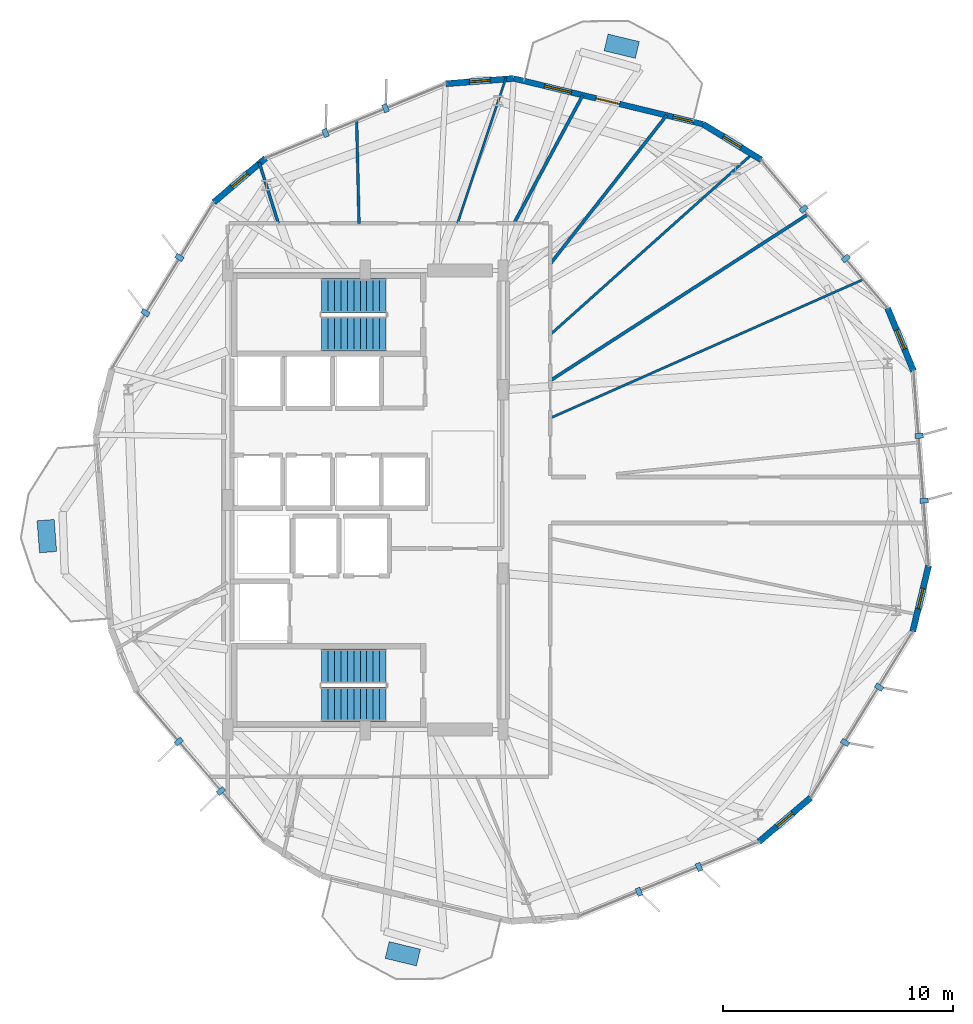
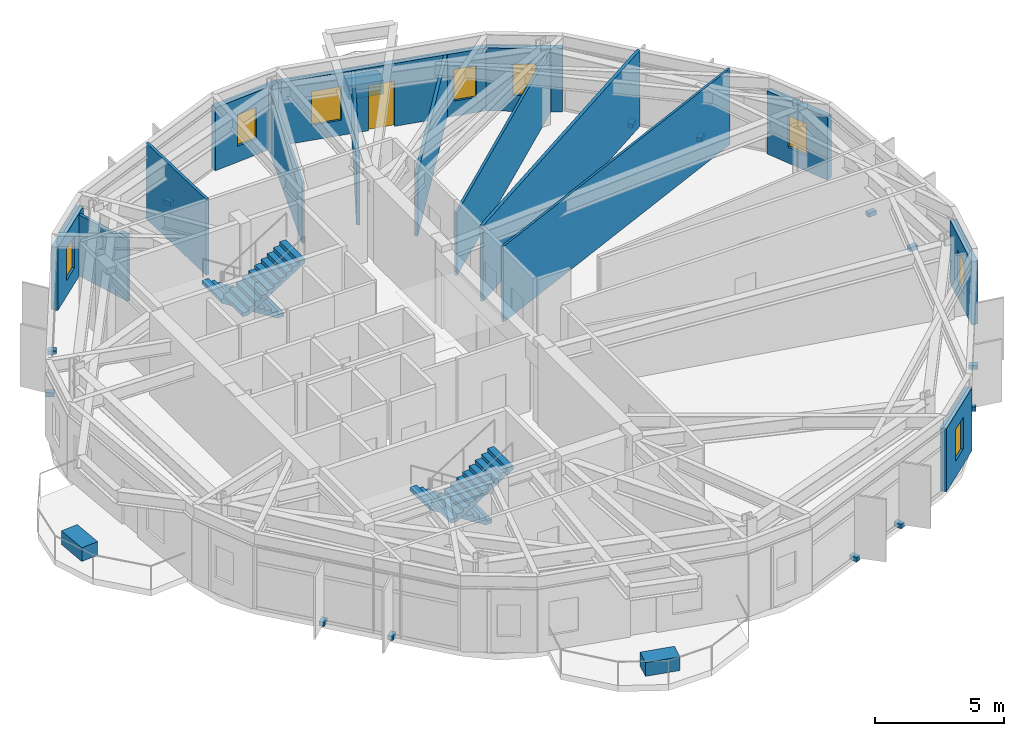
# One storey, part 18 of 21: 17 discrete accessories, 15 walls, 8 windows, 4 stair flights, 1 door, 9 openings, 2 elements without a shape of their own.
"""IFC4 building model written with IfcOpenShell, lengths in metres."""

from ifc_helpers import new_model, si_unit, direction, frame, frame_2d, origin, origin_2d, place, context, subcontext, project, spatial, polyline, rectangle, outline, extrude, material, layer, layer_set, type_object, element, fill, aggregate, save


model = new_model("IFC4")

# Units and contexts
model_context = context("Model", 3, precision=1e-05, world=origin(), true_north=direction((0.0, 1.0)))
body_context = subcontext(model_context, "Body", "Model", "MODEL_VIEW")
ifc_project = project(units=[si_unit("LENGTHUNIT", "METRE"), si_unit("AREAUNIT", "SQUARE_METRE"), si_unit("VOLUMEUNIT", "CUBIC_METRE"), si_unit("PLANEANGLEUNIT", "RADIAN"), si_unit("MASSUNIT", "GRAM", prefix="KILO")], contexts=[model_context])

# Site, building, storey
site_placement = place(None, origin())
site = spatial("IfcSite", under=ifc_project, at=site_placement, CompositionType="ELEMENT")
building_placement = place(site_placement, origin())
building = spatial("IfcBuilding", under=site, at=building_placement, Name="Soratama Intermodal Tower", CompositionType="ELEMENT")
storey_placement = place(building_placement, frame((0.0, 0.0, 114.699951171875)))
storey = spatial("IfcBuildingStorey", under=building, at=storey_placement, Name="L27", CompositionType="ELEMENT", Elevation=114.699951171875)

# Wall, openings, door, windows
ifc_material_1 = material(Name="Concrete f'c 42 MPa", Category="concrete")
ifc_layer_1 = layer(ifc_material_1, 0.25)
ifc_layer_set_1 = layer_set([ifc_layer_1], Name="Concrete f'c 42 MPa")
wall_type_1 = type_object("IfcWallType", Name="EW-BAL-250", PredefinedType="SOLIDWALL", material=ifc_layer_set_1)
wall_1_placement = place(storey_placement, frame((53.31591796875, 41.372802734375, 0.0), z_axis=(0.0, 0.0, 1.0), x_axis=(-0.972125162173, 0.234462511014, 0.0)))
wall_1 = element("IfcWall", 1, at=wall_1_placement, inside=storey, type_object=wall_type_1, Name="L27 Terrace Wall F02", PredefinedType="SOLIDWALL", context=body_context, shape_type="SweptSolid", body=[
    extrude(rectangle(XDim=8.490478515625, YDim=0.25, at=frame_2d((4.2451171875, 0.0))), origin(), (0.0, 0.0, 1.0), 2.97900390625),
])
opening_1_placement = place(wall_1_placement, frame((3.745361328125, 0.0, 0.0)))
opening_1 = element("IfcOpeningElement", 2, at=opening_1_placement, cuts=wall_1, Name="Opening ED-5", PredefinedType="OPENING", context=body_context, shape_type="SweptSolid", body=[
    extrude(rectangle(XDim=1.050048828125, YDim=2.14990234375, at=frame_2d((0.52490234375, 1.074951171875))), frame((0.0, 0.135009765625, 0.0), z_axis=(0.0, -1.0, 0.0), x_axis=(1.0, 0.0, 0.0)), (0.0, 0.0, 1.0), 0.27001953125),
])
opening_2_placement = place(wall_1_placement, frame((0.43994140625, 0.0, 0.719970703125)))
opening_2 = element("IfcOpeningElement", 3, at=opening_2_placement, cuts=wall_1, Name="Opening WN-6", PredefinedType="OPENING", context=body_context, shape_type="SweptSolid", body=[
    extrude(rectangle(XDim=0.89990234375, YDim=1.5, at=frame_2d((0.449951171875, 0.75))), frame((0.0, 0.135009765625, 0.0), z_axis=(0.0, -1.0, 0.0), x_axis=(1.0, 0.0, 0.0)), (0.0, 0.0, 1.0), 0.27001953125),
])
opening_3_placement = place(wall_1_placement, frame((5.9072265625, 0.0, 0.719970703125)))
opening_3 = element("IfcOpeningElement", 4, at=opening_3_placement, cuts=wall_1, Name="Opening WN-2", PredefinedType="OPENING", context=body_context, shape_type="SweptSolid", body=[
    extrude(rectangle(XDim=1.199951171875, YDim=1.60009765625, at=frame_2d((0.60009765625, 0.800048828125))), frame((0.0, 0.135009765625, 0.0), z_axis=(0.0, -1.0, 0.0), x_axis=(1.0, 0.0, 0.0)), (0.0, 0.0, 1.0), 0.27001953125),
])
ifc_material_2 = material(Name="Double-glazed aluminium door", Category="aluminium")
door_type = type_object("IfcDoorType", Name="DR-BAL-1050", OperationType="NOTDEFINED", PredefinedType="DOOR", material=ifc_material_2)
door_placement = place(opening_1_placement, origin())
door = element("IfcDoor", 5, at=door_placement, inside=storey, type_object=door_type, Name="L27 Balcony Door F02", OperationType="SINGLE_SWING_RIGHT", OverallHeight=2.14990234375, OverallWidth=1.050048828125, PredefinedType="DOOR", context=body_context, shape_type="SweptSolid", body=[
    extrude(rectangle(XDim=1.050048828125, YDim=2.14990234375, at=frame_2d((0.52490234375, 1.074951171875))), frame((0.0, 0.02490234375, 0.0), z_axis=(0.0, -1.0, 0.0), x_axis=(1.0, 0.0, 0.0)), (0.0, 0.0, 1.0), 0.050048828125),
])
fill(opening_1, door)
ifc_material_3 = material(Name="Double-glazed aluminium window", Category="aluminium")
window_type_1 = type_object("IfcWindowType", Name="WN-FAC-1200", PartitioningType="SINGLE_PANEL", PredefinedType="WINDOW", material=ifc_material_3)
window_1_placement = place(opening_3_placement, origin())
window_1 = element("IfcWindow", 6, at=window_1_placement, inside=storey, type_object=window_type_1, Name="L27 Window B F02", OverallHeight=1.60009765625, OverallWidth=1.199951171875, PartitioningType="SINGLE_PANEL", PredefinedType="WINDOW", context=body_context, shape_type="SweptSolid", body=[
    extrude(rectangle(XDim=1.199951171875, YDim=1.60009765625, at=frame_2d((0.60009765625, 0.800048828125))), frame((0.0, 0.030029296875, 0.0), z_axis=(0.0, -1.0, 0.0), x_axis=(1.0, 0.0, 0.0)), (0.0, 0.0, 1.0), 0.06005859375),
])
fill(opening_3, window_1)
ifc_material_4 = material(Name="Double-glazed aluminium window", Category="aluminium")
window_type_2 = type_object("IfcWindowType", Name="WN-FAC-900", PartitioningType="SINGLE_PANEL", PredefinedType="WINDOW", material=ifc_material_4)
window_2_placement = place(opening_2_placement, origin())
window_2 = element("IfcWindow", 7, at=window_2_placement, inside=storey, type_object=window_type_2, Name="L27 Window A F02", OverallHeight=1.5, OverallWidth=0.89990234375, PartitioningType="SINGLE_PANEL", PredefinedType="WINDOW", context=body_context, shape_type="SweptSolid", body=[
    extrude(rectangle(XDim=0.89990234375, YDim=1.5, at=frame_2d((0.449951171875, 0.75))), frame((0.0, 0.030029296875, 0.0), z_axis=(0.0, -1.0, 0.0), x_axis=(1.0, 0.0, 0.0)), (0.0, 0.0, 1.0), 0.06005859375),
])
fill(opening_2, window_2)

# Wall, opening, window
ifc_material_5 = material(Name="Concrete f'c 42 MPa", Category="concrete")
ifc_layer_2 = layer(ifc_material_5, 0.27001953125)
ifc_layer_set_2 = layer_set([ifc_layer_2], Name="Concrete f'c 42 MPa")
wall_type_2 = type_object("IfcWallType", Name="EW-CRN-270", PredefinedType="SOLIDWALL", material=ifc_layer_set_2)
wall_2_placement = place(storey_placement, frame((55.84375, 39.820068359375, 0.0), z_axis=(0.0, 0.0, 1.0), x_axis=(-0.852087521371, 0.523399327402, 0.0)))
wall_2 = element("IfcWall", 8, at=wall_2_placement, inside=storey, type_object=wall_type_2, Name="L27 Corner Closure Wall 01", PredefinedType="SOLIDWALL", context=body_context, shape_type="SweptSolid", body=[
    extrude(rectangle(XDim=2.966552734375, YDim=0.27001953125, at=frame_2d((1.4833984375, 0.0))), origin(), (0.0, 0.0, 1.0), 2.97900390625),
])
opening_4_placement = place(wall_2_placement, frame((1.033203125, 0.0, 0.75)))
opening_4 = element("IfcOpeningElement", 9, at=opening_4_placement, cuts=wall_2, Name="Opening WN-6", PredefinedType="OPENING", context=body_context, shape_type="SweptSolid", body=[
    extrude(rectangle(XDim=0.89990234375, YDim=1.5, at=frame_2d((0.449951171875, 0.75))), frame((0.0, 0.14501953125, 0.0), z_axis=(0.0, -1.0, 0.0), x_axis=(1.0, 0.0, 0.0)), (0.0, 0.0, 1.0), 0.2900390625),
])
window_3_placement = place(opening_4_placement, origin())
window_3 = element("IfcWindow", 10, at=window_3_placement, inside=storey, type_object=window_type_2, Name="L27 Corner Window 01", OverallHeight=1.5, OverallWidth=0.89990234375, PartitioningType="SINGLE_PANEL", PredefinedType="WINDOW", context=body_context, shape_type="SweptSolid", body=[
    extrude(rectangle(XDim=0.89990234375, YDim=1.5, at=frame_2d((0.449951171875, 0.75))), frame((0.0, 0.030029296875, 0.0), z_axis=(0.0, -1.0, 0.0), x_axis=(1.0, 0.0, 0.0)), (0.0, 0.0, 1.0), 0.06005859375),
])
fill(opening_4, window_3)

wall_3_placement = place(storey_placement, frame((45.06201171875, 43.363525390625, 0.0), z_axis=(0.0, 0.0, 1.0), x_axis=(-0.99699708695, -0.077439063873, 0.0)))
wall_3 = element("IfcWall", 11, at=wall_3_placement, inside=storey, type_object=wall_type_2, Name="L27 Corner Closure Wall 02", PredefinedType="SOLIDWALL", context=body_context, shape_type="SweptSolid", body=[
    extrude(rectangle(XDim=2.966552734375, YDim=0.27001953125, at=frame_2d((1.4833984375, 0.0))), origin(), (0.0, 0.0, 1.0), 2.97900390625),
])
opening_5_placement = place(wall_3_placement, frame((1.033203125, 0.0, 0.75)))
opening_5 = element("IfcOpeningElement", 12, at=opening_5_placement, cuts=wall_3, Name="Opening WN-6", PredefinedType="OPENING", context=body_context, shape_type="SweptSolid", body=[
    extrude(rectangle(XDim=0.89990234375, YDim=1.5, at=frame_2d((0.449951171875, 0.75))), frame((0.0, 0.14501953125, 0.0), z_axis=(0.0, -1.0, 0.0), x_axis=(1.0, 0.0, 0.0)), (0.0, 0.0, 1.0), 0.2900390625),
])
window_4_placement = place(opening_5_placement, origin())
window_4 = element("IfcWindow", 13, at=window_4_placement, inside=storey, type_object=window_type_2, Name="L27 Corner Window 02", OverallHeight=1.5, OverallWidth=0.89990234375, PartitioningType="SINGLE_PANEL", PredefinedType="WINDOW", context=body_context, shape_type="SweptSolid", body=[
    extrude(rectangle(XDim=0.89990234375, YDim=1.5, at=frame_2d((0.449951171875, 0.75))), frame((0.0, 0.030029296875, 0.0), z_axis=(0.0, -1.0, 0.0), x_axis=(1.0, 0.0, 0.0)), (0.0, 0.0, 1.0), 0.06005859375),
])
fill(opening_5, window_4)

wall_4_placement = place(storey_placement, frame((34.25634765625, 39.892578125, 0.0), z_axis=(0.0, 0.0, 1.0), x_axis=(-0.761118325799, -0.648613054241, 0.0)))
wall_4 = element("IfcWall", 14, at=wall_4_placement, inside=storey, type_object=wall_type_2, Name="L27 Corner Closure Wall 03", PredefinedType="SOLIDWALL", context=body_context, shape_type="SweptSolid", body=[
    extrude(rectangle(XDim=2.966552734375, YDim=0.27001953125, at=frame_2d((1.4833984375, 0.0))), origin(), (0.0, 0.0, 1.0), 2.97900390625),
])
opening_6_placement = place(wall_4_placement, frame((1.033203125, 0.0, 0.75)))
opening_6 = element("IfcOpeningElement", 15, at=opening_6_placement, cuts=wall_4, Name="Opening WN-6", PredefinedType="OPENING", context=body_context, shape_type="SweptSolid", body=[
    extrude(rectangle(XDim=0.89990234375, YDim=1.5, at=frame_2d((0.449951171875, 0.75))), frame((0.0, 0.14501953125, 0.0), z_axis=(0.0, -1.0, 0.0), x_axis=(1.0, 0.0, 0.0)), (0.0, 0.0, 1.0), 0.2900390625),
])
window_5_placement = place(opening_6_placement, origin())
window_5 = element("IfcWindow", 16, at=window_5_placement, inside=storey, type_object=window_type_2, Name="L27 Corner Window 03", OverallHeight=1.5, OverallWidth=0.89990234375, PartitioningType="SINGLE_PANEL", PredefinedType="WINDOW", context=body_context, shape_type="SweptSolid", body=[
    extrude(rectangle(XDim=0.89990234375, YDim=1.5, at=frame_2d((0.449951171875, 0.75))), frame((0.0, 0.030029296875, 0.0), z_axis=(0.0, -1.0, 0.0), x_axis=(1.0, 0.0, 0.0)), (0.0, 0.0, 1.0), 0.06005859375),
])
fill(opening_6, window_5)

wall_5_placement = place(storey_placement, frame((55.74365234375, 10.107421875, 0.0), z_axis=(0.0, 0.0, 1.0), x_axis=(0.761118325799, 0.648613054241, 0.0)))
wall_5 = element("IfcWall", 17, at=wall_5_placement, inside=storey, type_object=wall_type_2, Name="L27 Corner Closure Wall 08", PredefinedType="SOLIDWALL", context=body_context, shape_type="SweptSolid", body=[
    extrude(rectangle(XDim=2.966552734375, YDim=0.27001953125, at=frame_2d((1.4833984375, 0.0))), origin(), (0.0, 0.0, 1.0), 2.97900390625),
])
opening_7_placement = place(wall_5_placement, frame((1.033203125, 0.0, 0.75)))
opening_7 = element("IfcOpeningElement", 18, at=opening_7_placement, cuts=wall_5, Name="Opening WN-6", PredefinedType="OPENING", context=body_context, shape_type="SweptSolid", body=[
    extrude(rectangle(XDim=0.89990234375, YDim=1.5, at=frame_2d((0.449951171875, 0.75))), frame((0.0, 0.14501953125, 0.0), z_axis=(0.0, -1.0, 0.0), x_axis=(1.0, 0.0, 0.0)), (0.0, 0.0, 1.0), 0.2900390625),
])
window_6_placement = place(opening_7_placement, origin())
window_6 = element("IfcWindow", 19, at=window_6_placement, inside=storey, type_object=window_type_2, Name="L27 Corner Window 08", OverallHeight=1.5, OverallWidth=0.89990234375, PartitioningType="SINGLE_PANEL", PredefinedType="WINDOW", context=body_context, shape_type="SweptSolid", body=[
    extrude(rectangle(XDim=0.89990234375, YDim=1.5, at=frame_2d((0.449951171875, 0.75))), frame((0.0, 0.030029296875, 0.0), z_axis=(0.0, -1.0, 0.0), x_axis=(1.0, 0.0, 0.0)), (0.0, 0.0, 1.0), 0.06005859375),
])
fill(opening_7, window_6)

wall_6_placement = place(storey_placement, frame((62.445556640625, 19.2666015625, 0.0), z_axis=(0.0, 0.0, 1.0), x_axis=(0.234471584184, 0.97212297381, 0.0)))
wall_6 = element("IfcWall", 20, at=wall_6_placement, inside=storey, type_object=wall_type_2, Name="L27 Corner Closure Wall 09", PredefinedType="SOLIDWALL", context=body_context, shape_type="SweptSolid", body=[
    extrude(rectangle(XDim=2.966552734375, YDim=0.27001953125, at=frame_2d((1.4833984375, 0.0))), origin(), (0.0, 0.0, 1.0), 2.97900390625),
])
opening_8_placement = place(wall_6_placement, frame((1.033203125, 0.0, 0.75)))
opening_8 = element("IfcOpeningElement", 21, at=opening_8_placement, cuts=wall_6, Name="Opening WN-6", PredefinedType="OPENING", context=body_context, shape_type="SweptSolid", body=[
    extrude(rectangle(XDim=0.89990234375, YDim=1.5, at=frame_2d((0.449951171875, 0.75))), frame((0.0, 0.14501953125, 0.0), z_axis=(0.0, -1.0, 0.0), x_axis=(1.0, 0.0, 0.0)), (0.0, 0.0, 1.0), 0.2900390625),
])
window_7_placement = place(opening_8_placement, origin())
window_7 = element("IfcWindow", 22, at=window_7_placement, inside=storey, type_object=window_type_2, Name="L27 Corner Window 09", OverallHeight=1.5, OverallWidth=0.89990234375, PartitioningType="SINGLE_PANEL", PredefinedType="WINDOW", context=body_context, shape_type="SweptSolid", body=[
    extrude(rectangle(XDim=0.89990234375, YDim=1.5, at=frame_2d((0.449951171875, 0.75))), frame((0.0, 0.030029296875, 0.0), z_axis=(0.0, -1.0, 0.0), x_axis=(1.0, 0.0, 0.0)), (0.0, 0.0, 1.0), 0.06005859375),
])
fill(opening_8, window_7)

wall_7_placement = place(storey_placement, frame((62.48388671875, 30.61572265625, 0.0), z_axis=(0.0, 0.0, 1.0), x_axis=(-0.381767795874, 0.9242582702, 0.0)))
wall_7 = element("IfcWall", 23, at=wall_7_placement, inside=storey, type_object=wall_type_2, Name="L27 Corner Closure Wall 10", PredefinedType="SOLIDWALL", context=body_context, shape_type="SweptSolid", body=[
    extrude(rectangle(XDim=2.966552734375, YDim=0.27001953125, at=frame_2d((1.4833984375, 0.0))), origin(), (0.0, 0.0, 1.0), 2.97900390625),
])
opening_9_placement = place(wall_7_placement, frame((1.033203125, 0.0, 0.75)))
opening_9 = element("IfcOpeningElement", 24, at=opening_9_placement, cuts=wall_7, Name="Opening WN-6", PredefinedType="OPENING", context=body_context, shape_type="SweptSolid", body=[
    extrude(rectangle(XDim=0.89990234375, YDim=1.5, at=frame_2d((0.449951171875, 0.75))), frame((0.0, 0.14501953125, 0.0), z_axis=(0.0, -1.0, 0.0), x_axis=(1.0, 0.0, 0.0)), (0.0, 0.0, 1.0), 0.2900390625),
])
window_8_placement = place(opening_9_placement, origin())
window_8 = element("IfcWindow", 25, at=window_8_placement, inside=storey, type_object=window_type_2, Name="L27 Corner Window 10", OverallHeight=1.5, OverallWidth=0.89990234375, PartitioningType="SINGLE_PANEL", PredefinedType="WINDOW", context=body_context, shape_type="SweptSolid", body=[
    extrude(rectangle(XDim=0.89990234375, YDim=1.5, at=frame_2d((0.449951171875, 0.75))), frame((0.0, 0.030029296875, 0.0), z_axis=(0.0, -1.0, 0.0), x_axis=(1.0, 0.0, 0.0)), (0.0, 0.0, 1.0), 0.06005859375),
])
fill(opening_9, window_8)

# Walls
ifc_material_6 = material(Name="Fire-rated gypsum stud partition", Category="concrete")
ifc_layer_3 = layer(ifc_material_6, 0.10009765625)
ifc_layer_set_3 = layer_set([ifc_layer_3], Name="Fire-rated gypsum stud partition")
wall_type_3 = type_object("IfcWallType", Name="IW-PART-S100", PredefinedType="PARTITIONING", material=ifc_layer_set_3)
wall_8_placement = place(storey_placement, frame((46.64990234375, 28.56591796875, 0.0), z_axis=(0.0, 0.0, 1.0), x_axis=(0.914342636825, 0.404941406234, 0.0)))
element("IfcWall", 26, at=wall_8_placement, inside=storey, type_object=wall_type_3, Name="L27 Partition W-L27-TP003", PredefinedType="PARTITIONING", context=body_context, shape_type="SweptSolid", body=[
    extrude(rectangle(XDim=14.915771484375, YDim=0.10009765625, at=frame_2d((7.4580078125, 0.0))), origin(), (0.0, 0.0, 1.0), 3.60009765625),
])
wall_9_placement = place(storey_placement, frame((42.614013671875, 37.050048828125, 0.0), z_axis=(0.0, 0.0, 1.0), x_axis=(0.316063354252, 0.948738086143, 0.0)))
element("IfcWall", 27, at=wall_9_placement, inside=storey, type_object=wall_type_3, Name="L27 Partition W-L27-TP013", PredefinedType="PARTITIONING", context=body_context, shape_type="SweptSolid", body=[
    extrude(rectangle(XDim=6.682373046875, YDim=0.10009765625, at=frame_2d((3.34130859375, 0.0))), origin(), (0.0, 0.0, 1.0), 2.89501953125),
])
ifc_material_7 = material(Name="Fire-rated gypsum stud partition", Category="concrete")
ifc_layer_4 = layer(ifc_material_7, 0.110107421875)
ifc_layer_set_4 = layer_set([ifc_layer_4], Name="Fire-rated gypsum stud partition")
wall_type_4 = type_object("IfcWallType", Name="IW-PART-S110", PredefinedType="PARTITIONING", material=ifc_layer_set_4)
wall_10_placement = place(storey_placement, frame((46.64990234375, 32.198974609375, 0.0), z_axis=(0.0, 0.0, 1.0), x_axis=(0.745386497936, 0.666632558982, 0.0)))
element("IfcWall", 28, at=wall_10_placement, inside=storey, type_object=wall_type_4, Name="L27 Partition W-L27-TP007", PredefinedType="PARTITIONING", context=body_context, shape_type="SweptSolid", body=[
    extrude(rectangle(XDim=11.873046875, YDim=0.110107421875, at=frame_2d((5.9365234375, 0.0))), origin(), (0.0, 0.0, 1.0), 2.97802734375),
])
ifc_material_8 = material(Name="Fire-rated gypsum stud partition", Category="concrete")
ifc_layer_5 = layer(ifc_material_8, 0.1201171875)
ifc_layer_set_5 = layer_set([ifc_layer_5], Name="Fire-rated gypsum stud partition")
wall_type_5 = type_object("IfcWallType", Name="IW-PART-S120", PredefinedType="PARTITIONING", material=ifc_layer_set_5)
wall_11_placement = place(storey_placement, frame((38.323974609375, 37.050048828125, 0.0), z_axis=(0.0, 0.0, 1.0), x_axis=(-0.022991196277, 0.999735667511, 0.0)))
element("IfcWall", 29, at=wall_11_placement, inside=storey, type_object=wall_type_5, Name="L27 Partition W-L27-TP016", PredefinedType="PARTITIONING", context=body_context, shape_type="SweptSolid", body=[
    extrude(rectangle(XDim=4.481201171875, YDim=0.1201171875, at=frame_2d((2.24072265625, 0.0))), origin(), (0.0, 0.0, 1.0), 3.60009765625),
])
ifc_material_9 = material(Name="Fire-rated gypsum stud partition", Category="concrete")
ifc_layer_6 = layer(ifc_material_9, 0.1298828125)
ifc_layer_set_6 = layer_set([ifc_layer_6], Name="Fire-rated gypsum stud partition")
wall_type_6 = type_object("IfcWallType", Name="IW-PART-S130", PredefinedType="PARTITIONING", material=ifc_layer_set_6)
wall_12_placement = place(storey_placement, frame((34.81005859375, 37.050048828125, 0.0), z_axis=(0.0, 0.0, 1.0), x_axis=(-0.300024068353, 0.953931631936, 0.0)))
element("IfcWall", 30, at=wall_12_placement, inside=storey, type_object=wall_type_6, Name="L27 Partition W-L27-TP025", PredefinedType="PARTITIONING", context=body_context, shape_type="SweptSolid", body=[
    extrude(rectangle(XDim=2.796875, YDim=0.1298828125, at=frame_2d((1.3984375, 0.0))), origin(), (0.0, 0.0, 1.0), 2.89501953125),
])
ifc_material_10 = material(Name="Fire-rated gypsum stud partition", Category="concrete")
ifc_layer_7 = layer(ifc_material_10, 0.139892578125)
ifc_layer_set_7 = layer_set([ifc_layer_7], Name="Fire-rated gypsum stud partition")
wall_type_7 = type_object("IfcWallType", Name="IW-PART-S140", PredefinedType="PARTITIONING", material=ifc_layer_set_7)
wall_13_placement = place(storey_placement, frame((46.64990234375, 30.197021484375, 0.0), z_axis=(0.0, 0.0, 1.0), x_axis=(0.840112606946, 0.542412027569, 0.0)))
element("IfcWall", 31, at=wall_13_placement, inside=storey, type_object=wall_type_7, Name="L27 Partition W-L27-TP004", PredefinedType="PARTITIONING", context=body_context, shape_type="SweptSolid", body=[
    extrude(rectangle(XDim=13.356689453125, YDim=0.139892578125, at=frame_2d((6.67822265625, 0.0))), origin(), (0.0, 0.0, 1.0), 3.60009765625),
])
wall_14_placement = place(storey_placement, frame((46.64990234375, 35.277099609375, 0.0), z_axis=(0.0, 0.0, 1.0), x_axis=(0.616660136887, 0.787229493588, 0.0)))
element("IfcWall", 32, at=wall_14_placement, inside=storey, type_object=wall_type_7, Name="L27 Partition W-L27-TP009", PredefinedType="PARTITIONING", context=body_context, shape_type="SweptSolid", body=[
    extrude(rectangle(XDim=8.230224609375, YDim=0.139892578125, at=frame_2d((4.115234375, 0.0))), origin(), (0.0, 0.0, 1.0), 2.97802734375),
])
wall_15_placement = place(storey_placement, frame((45.073974609375, 37.050048828125, 0.0), z_axis=(0.0, 0.0, 1.0), x_axis=(0.473319167136, 0.880891006891, 0.0)))
element("IfcWall", 33, at=wall_15_placement, inside=storey, type_object=wall_type_7, Name="L27 Partition W-L27-TP014", PredefinedType="PARTITIONING", context=body_context, shape_type="SweptSolid", body=[
    extrude(rectangle(XDim=6.34228515625, YDim=0.139892578125, at=frame_2d((3.171142578125, 0.0))), origin(), (0.0, 0.0, 1.0), 2.97412109375),
])

# Stair, stair flights
ifc_material_11 = material(Name="Concrete f'c 42 MPa", Category="concrete")
stair_type = type_object("IfcStairType", Name="ST-CORE-DOGLEG", PredefinedType="HALF_TURN_STAIR", material=ifc_material_11)
stair_1_placement = place(storey_placement, origin())
stair_1 = element("IfcStair", 34, at=stair_1_placement, inside=storey, type_object=stair_type, Name="L27 ST-1", PredefinedType="HALF_TURN_STAIR")
ifc_material_12 = material(Name="Precast concrete f'c 40 MPa", Category="concrete")
ifc_layer_8 = layer(ifc_material_12, 0.199951171875)
ifc_layer_set_8 = layer_set([ifc_layer_8], Name="Precast concrete f'c 40 MPa")
stair_flight_type = type_object("IfcStairFlightType", Name="SF-FLIGHT-RC", PredefinedType="STRAIGHT", material=ifc_layer_set_8)
stair_flight_1_placement = place(storey_placement, frame((39.5, 17.75, 0.0), z_axis=(0.0, 0.0, 1.0), x_axis=(-1.0, 0.0, 0.0)))
stair_flight_1 = element("IfcStairFlight", 35, at=stair_flight_1_placement, type_object=stair_flight_type, Name="ST-1 flight 1", NumberOfRisers=11, NumberOfTreads=10, PredefinedType="STRAIGHT", RiserHeight=0.177272727, TreadLength=0.28, context=body_context, shape_type="SweptSolid", body=[
    extrude(outline(polyline([(0.0, 0.0), (0.0, 0.17724609375), (0.280029296875, 0.17724609375), (0.280029296875, 0.3544921875), (0.56005859375, 0.3544921875), (0.56005859375, 0.53173828125), (0.840087890625, 0.53173828125), (0.840087890625, 0.708984375), (1.1201171875, 0.708984375), (1.1201171875, 0.886474609375), (1.39990234375, 0.886474609375), (1.39990234375, 1.063720703125), (1.679931640625, 1.063720703125), (1.679931640625, 1.240966796875), (1.9599609375, 1.240966796875), (1.9599609375, 1.418212890625), (2.239990234375, 1.418212890625), (2.239990234375, 1.595458984375), (2.52001953125, 1.595458984375), (2.52001953125, 1.772705078125), (2.800048828125, 1.772705078125), (2.800048828125, 1.949951171875), (2.800048828125, 1.59521484375), (0.2802734375, 0.0), (0.0, 0.0)])), frame((0.0, 0.75, 0.0), z_axis=(0.0, -1.0, 0.0), x_axis=(1.0, 0.0, 0.0)), (0.0, 0.0, 1.0), 1.5),
])
stair_flight_2_placement = place(storey_placement, frame((36.699951171875, 16.10009765625, 1.949951171875), z_axis=(0.0, 0.0, 1.0), x_axis=(1.0, 0.0, 0.0)))
stair_flight_2 = element("IfcStairFlight", 36, at=stair_flight_2_placement, type_object=stair_flight_type, Name="ST-1 flight 2", NumberOfRisers=11, NumberOfTreads=10, PredefinedType="STRAIGHT", RiserHeight=0.177272727, TreadLength=0.28, context=body_context, shape_type="SweptSolid", body=[
    extrude(outline(polyline([(0.0, 0.0), (0.0, 0.17724609375), (0.280029296875, 0.17724609375), (0.280029296875, 0.3544921875), (0.56005859375, 0.3544921875), (0.56005859375, 0.53173828125), (0.840087890625, 0.53173828125), (0.840087890625, 0.708984375), (1.1201171875, 0.708984375), (1.1201171875, 0.886474609375), (1.39990234375, 0.886474609375), (1.39990234375, 1.063720703125), (1.679931640625, 1.063720703125), (1.679931640625, 1.240966796875), (1.9599609375, 1.240966796875), (1.9599609375, 1.418212890625), (2.239990234375, 1.418212890625), (2.239990234375, 1.595458984375), (2.52001953125, 1.595458984375), (2.52001953125, 1.772705078125), (2.800048828125, 1.772705078125), (2.800048828125, 1.949951171875), (2.800048828125, 1.59521484375), (0.2802734375, 0.0), (0.0, 0.0)])), frame((0.0, 0.75, 0.0), z_axis=(0.0, -1.0, 0.0), x_axis=(1.0, 0.0, 0.0)), (0.0, 0.0, 1.0), 1.5),
])
aggregate(stair_1, [stair_flight_1, stair_flight_2])

stair_2_placement = place(storey_placement, origin())
stair_2 = element("IfcStair", 37, at=stair_2_placement, inside=storey, type_object=stair_type, Name="L27 ST-2", PredefinedType="HALF_TURN_STAIR")
stair_flight_3_placement = place(storey_placement, frame((39.5, 33.89990234375, 0.0), z_axis=(0.0, 0.0, 1.0), x_axis=(-1.0, 0.0, 0.0)))
stair_flight_3 = element("IfcStairFlight", 38, at=stair_flight_3_placement, type_object=stair_flight_type, Name="ST-2 flight 1", NumberOfRisers=11, NumberOfTreads=10, PredefinedType="STRAIGHT", RiserHeight=0.177272727, TreadLength=0.28, context=body_context, shape_type="SweptSolid", body=[
    extrude(outline(polyline([(0.0, 0.0), (0.0, 0.17724609375), (0.280029296875, 0.17724609375), (0.280029296875, 0.3544921875), (0.56005859375, 0.3544921875), (0.56005859375, 0.53173828125), (0.840087890625, 0.53173828125), (0.840087890625, 0.708984375), (1.1201171875, 0.708984375), (1.1201171875, 0.886474609375), (1.39990234375, 0.886474609375), (1.39990234375, 1.063720703125), (1.679931640625, 1.063720703125), (1.679931640625, 1.240966796875), (1.9599609375, 1.240966796875), (1.9599609375, 1.418212890625), (2.239990234375, 1.418212890625), (2.239990234375, 1.595458984375), (2.52001953125, 1.595458984375), (2.52001953125, 1.772705078125), (2.800048828125, 1.772705078125), (2.800048828125, 1.949951171875), (2.800048828125, 1.59521484375), (0.2802734375, 0.0), (0.0, 0.0)])), frame((0.0, 0.75, 0.0), z_axis=(0.0, -1.0, 0.0), x_axis=(1.0, 0.0, 0.0)), (0.0, 0.0, 1.0), 1.5),
])
stair_flight_4_placement = place(storey_placement, frame((36.699951171875, 32.25, 1.949951171875), z_axis=(0.0, 0.0, 1.0), x_axis=(1.0, 0.0, 0.0)))
stair_flight_4 = element("IfcStairFlight", 39, at=stair_flight_4_placement, type_object=stair_flight_type, Name="ST-2 flight 2", NumberOfRisers=11, NumberOfTreads=10, PredefinedType="STRAIGHT", RiserHeight=0.177272727, TreadLength=0.28, context=body_context, shape_type="SweptSolid", body=[
    extrude(outline(polyline([(0.0, 0.0), (0.0, 0.17724609375), (0.280029296875, 0.17724609375), (0.280029296875, 0.3544921875), (0.56005859375, 0.3544921875), (0.56005859375, 0.53173828125), (0.840087890625, 0.53173828125), (0.840087890625, 0.708984375), (1.1201171875, 0.708984375), (1.1201171875, 0.886474609375), (1.39990234375, 0.886474609375), (1.39990234375, 1.063720703125), (1.679931640625, 1.063720703125), (1.679931640625, 1.240966796875), (1.9599609375, 1.240966796875), (1.9599609375, 1.418212890625), (2.239990234375, 1.418212890625), (2.239990234375, 1.595458984375), (2.52001953125, 1.595458984375), (2.52001953125, 1.772705078125), (2.800048828125, 1.772705078125), (2.800048828125, 1.949951171875), (2.800048828125, 1.59521484375), (0.2802734375, 0.0), (0.0, 0.0)])), frame((0.0, 0.75, 0.0), z_axis=(0.0, -1.0, 0.0), x_axis=(1.0, 0.0, 0.0)), (0.0, 0.0, 1.0), 1.5),
])
aggregate(stair_2, [stair_flight_3, stair_flight_4])

# Discrete accessories
ifc_material_13 = material(Name="Structural steel ASTM A992 Grade 50", Category="steel")
discrete_accessory_type_1 = type_object("IfcDiscreteAccessoryType", Name="AC-FIN-BRACKET", PredefinedType="BRACKET", material=ifc_material_13)
for number, where, z_axis, x_axis, name in (
    (40, (59.53076171875, 35.52490234375, -0.080078125), (0.0, 0.0, 1.0), (0.761085648942, 0.648651397111, 0.0), "L27 Fin Bracket F01-1"),
    (41, (57.69482421875, 37.678955078125, -0.080078125), (0.0, 0.0, 1.0), (0.761085648942, 0.648651397111, 0.0), "L27 Fin Bracket F01-2"),
    (42, (39.480712890625, 42.072021484375, -0.080078125), (0.0, 0.0, 1.0), (-0.381715738328, 0.924279771018, 0.0), "L27 Fin Bracket F03-1"),
    (43, (36.864501953125, 40.99169921875, -0.080078125), (0.0, 0.0, 1.0), (-0.381715738328, 0.924279771018, 0.0), "L27 Fin Bracket F03-2"),
    (44, (30.5, 35.567138671875, -0.080078125), (0.0, 0.0, 1.0), (-0.852092537724, 0.523391160753, 0.0), "L27 Fin Bracket F04-1"),
    (45, (29.018798828125, 33.155517578125, -0.080078125), (0.0, 0.0, 1.0), (-0.852092537724, 0.523391160753, 0.0), "L27 Fin Bracket F04-2"),
    (46, (30.46923828125, 14.47509765625, -0.080078125), (0.0, 0.0, 1.0), (-0.761085648942, -0.648651397111, 0.0), "L27 Fin Bracket F06-1"),
    (47, (32.30517578125, 12.321044921875, -0.080078125), (0.0, 0.0, 1.0), (-0.761085648942, -0.648651397111, 0.0), "L27 Fin Bracket F06-2"),
    (48, (50.519287109375, 7.927978515625, -0.080078125), (0.0, 0.0, 1.0), (0.381715738328, -0.924279771018, 0.0), "L27 Fin Bracket F08-1"),
    (49, (53.135498046875, 9.00830078125, -0.080078125), (0.0, 0.0, 1.0), (0.381715738328, -0.924279771018, 0.0), "L27 Fin Bracket F08-2"),
    (50, (59.5, 14.432861328125, -0.080078125), (0.0, 0.0, 1.0), (0.852092537724, -0.523391160753, 0.0), "L27 Fin Bracket F09-1"),
    (51, (60.981201171875, 16.844482421875, -0.080078125), (0.0, 0.0, 1.0), (0.852092537724, -0.523391160753, 0.0), "L27 Fin Bracket F09-2"),
    (52, (62.94189453125, 24.9736328125, -0.080078125), (0.0, 0.0, 1.0), (0.99699894927, 0.077415083508, 0.0), "L27 Fin Bracket F10-1"),
    (53, (62.722900390625, 27.79541015625, -0.080078125), (0.0, 0.0, 1.0), (0.99699894927, 0.077415083508, 0.0), "L27 Fin Bracket F10-2"),
):
    element("IfcDiscreteAccessory", number, at=place(storey_placement, frame(where, z_axis=z_axis, x_axis=x_axis)), inside=storey, type_object=discrete_accessory_type_1, Name=name, PredefinedType="BRACKET", context=body_context, shape_type="SweptSolid", body=[
        extrude(rectangle(XDim=0.360107421875, YDim=0.219970703125, at=origin_2d()), origin(), (0.0, 0.0, 1.0), 0.199951171875),
    ])
ifc_material_14 = material(Name="Precast concrete f'c 40 MPa", Category="concrete")
discrete_accessory_type_2 = type_object("IfcDiscreteAccessoryType", Name="AC-PLANTER-TREE", PredefinedType="USERDEFINED", material=ifc_material_14)
for number, where, z_axis, x_axis, name in (
    (54, (49.76806640625, 44.769287109375, 0.0), (0.0, 0.0, 1.0), (0.234463499069, 0.972124923868, 0.0), "L27 Tree Planter 1"),
    (55, (24.72509765625, 23.42578125, 0.0), (0.0, 0.0, 1.0), (-0.99699894927, -0.077415083508, 0.0), "L27 Tree Planter 2"),
    (56, (40.23193359375, 5.230712890625, 0.0), (0.0, 0.0, 1.0), (-0.234463499069, -0.972124923868, 0.0), "L27 Tree Planter 3"),
):
    element("IfcDiscreteAccessory", number, at=place(storey_placement, frame(where, z_axis=z_axis, x_axis=x_axis)), inside=storey, type_object=discrete_accessory_type_2, Name=name, ObjectType="PLANTER", PredefinedType="USERDEFINED", context=body_context, shape_type="SweptSolid", body=[
        extrude(rectangle(XDim=0.75, YDim=1.39990234375, at=origin_2d()), origin(), (0.0, 0.0, 1.0), 0.64990234375),
    ])

save(model, "model.ifc")
